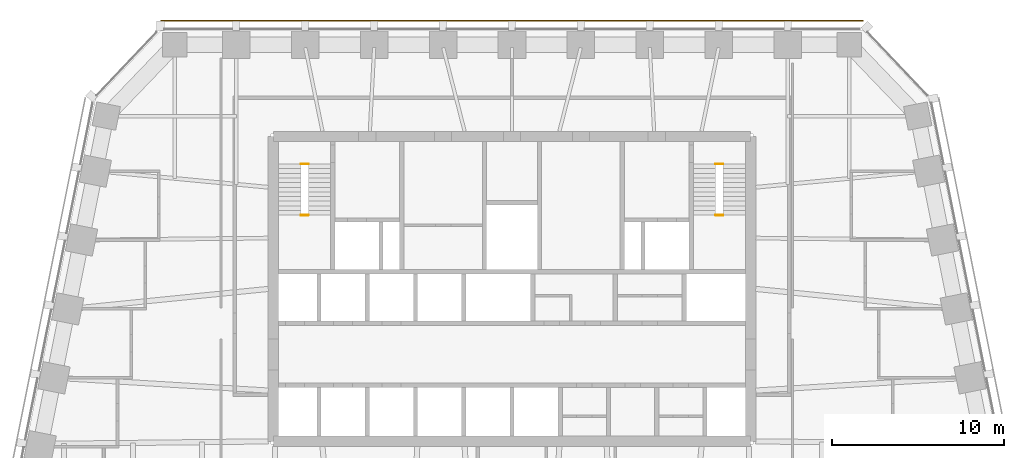
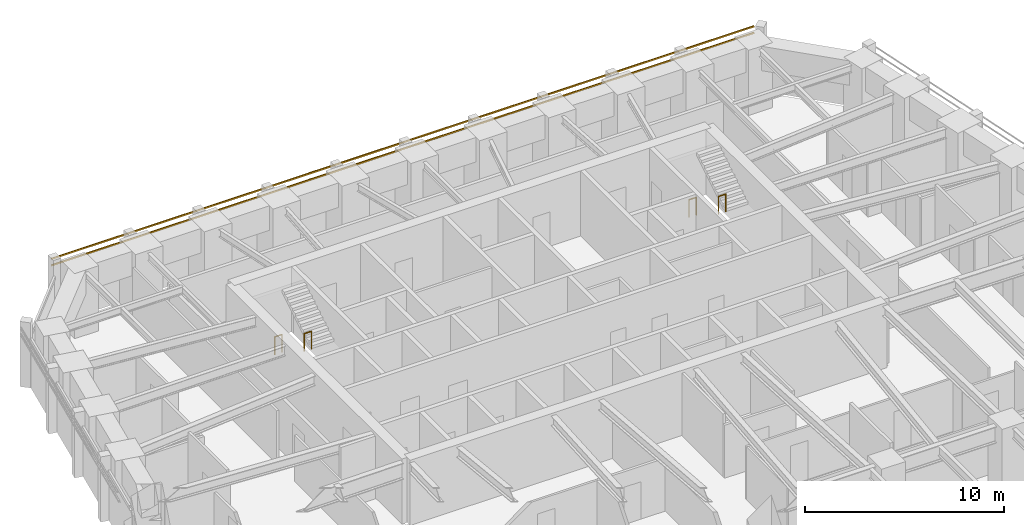
# One storey, part 10 of 10: 4 railings, 2 shading devices.
"""IFC4 building model written with IfcOpenShell, lengths in metres."""

from ifc_helpers import new_model, si_unit, direction, frame, origin, origin_2d, place, context, subcontext, project, spatial, rectangle, circle, extrude, material, material_profile, profile_set, type_object, element, save


model = new_model("IFC4")

# Units and contexts
model_context = context("Model", 3, precision=1e-05, world=origin(), true_north=direction((0.0, 1.0)))
body_context = subcontext(model_context, "Body", "Model", "MODEL_VIEW")
ifc_project = project(units=[si_unit("LENGTHUNIT", "METRE"), si_unit("AREAUNIT", "SQUARE_METRE"), si_unit("VOLUMEUNIT", "CUBIC_METRE"), si_unit("PLANEANGLEUNIT", "RADIAN"), si_unit("MASSUNIT", "GRAM", prefix="KILO")], contexts=[model_context])

# Site, building, storey
site_placement = place(None, origin())
site = spatial("IfcSite", under=ifc_project, at=site_placement, CompositionType="ELEMENT")
building_placement = place(site_placement, origin())
building = spatial("IfcBuilding", under=site, at=building_placement, Name="Isbrekke Arena Tower", CompositionType="ELEMENT")
storey_placement = place(building_placement, frame((0.0, 0.0, 190.0)))
storey = spatial("IfcBuildingStorey", under=building, at=storey_placement, Name="L43", CompositionType="ELEMENT", Elevation=190.0)

# Shading devices
ifc_material_1 = material(Name="Terracotta", Category="masonry")
ifc_material_profile = material_profile(ifc_material_1, rectangle(XDim=0.06005859375, YDim=0.06005859375, at=origin_2d()), Name="BAGUETTE 60X60")
ifc_profile_set = profile_set([ifc_material_profile], Name="Terracotta")
shading_device_type = type_object("IfcShadingDeviceType", Name="BG1 TERRACOTTA BAGUETTE 60 x 60", PredefinedType="USERDEFINED", material=ifc_profile_set)
for number, where, z_axis, x_axis, name in (
    (1, (20.39990234375, 30.580078125, 3.280029296875), (-1.0, 0.0, 0.0), (0.0, -1.0, 0.0), "BG1 terracotta baguette N1 L43"),
    (2, (20.39990234375, 30.580078125, 3.679931640625), (-1.0, 0.0, 0.0), (0.0, -1.0, 0.0), "BG1 terracotta baguette N2 L43"),
):
    element("IfcShadingDevice", number, at=place(storey_placement, frame(where, z_axis=z_axis, x_axis=x_axis)), inside=storey, type_object=shading_device_type, Name=name, ObjectType="TERRACOTTA BAGUETTE", PredefinedType="USERDEFINED", context=body_context, shape_type="SweptSolid", body=[
        extrude(rectangle(XDim=0.06005859375, YDim=0.06005859375, at=origin_2d()), origin(), (0.0, 0.0, 1.0), 40.7998046875),
    ])

# Railings
ifc_material_2 = material(Name="Steel stair guard, vertical bars, steel handrail", Category="steel")
railing_type = type_object("IfcRailingType", Name="GR3 STAIR WELL GUARD 1100", PredefinedType="GUARDRAIL", material=ifc_material_2)
for number, where, name in (
    (3, (-12.25, 22.25, 0.0), "GR3 stair well guard ST1 L43"),
    (4, (-12.25, 19.280029296875, 2.0), "GR3 stair well guard ST1 L43"),
    (5, (11.824951171875, 22.25, 0.0), "GR3 stair well guard ST2 L43"),
    (6, (11.824951171875, 19.280029296875, 2.0), "GR3 stair well guard ST2 L43"),
):
    element("IfcRailing", number, at=place(storey_placement, frame(where)), inside=storey, type_object=railing_type, Name=name, PredefinedType="GUARDRAIL", context=body_context, shape_type="SweptSolid", body=[
        extrude(circle(Radius=0.02392578125, at=origin_2d()), frame((0.0, 0.0, 1.076171875), z_axis=(1.0, 0.0, 0.0), x_axis=(0.0, 1.0, 0.0)), (0.0, 0.0, 1.0), 0.425048828125),
        extrude(circle(Radius=0.02099609375, at=origin_2d()), origin(), (0.0, 0.0, 1.0), 1.052001953125),
        extrude(circle(Radius=0.02099609375, at=origin_2d()), frame((0.425048828125, 0.0, 0.0)), (0.0, 0.0, 1.0), 1.052001953125),
    ])

save(model, "model.ifc")
